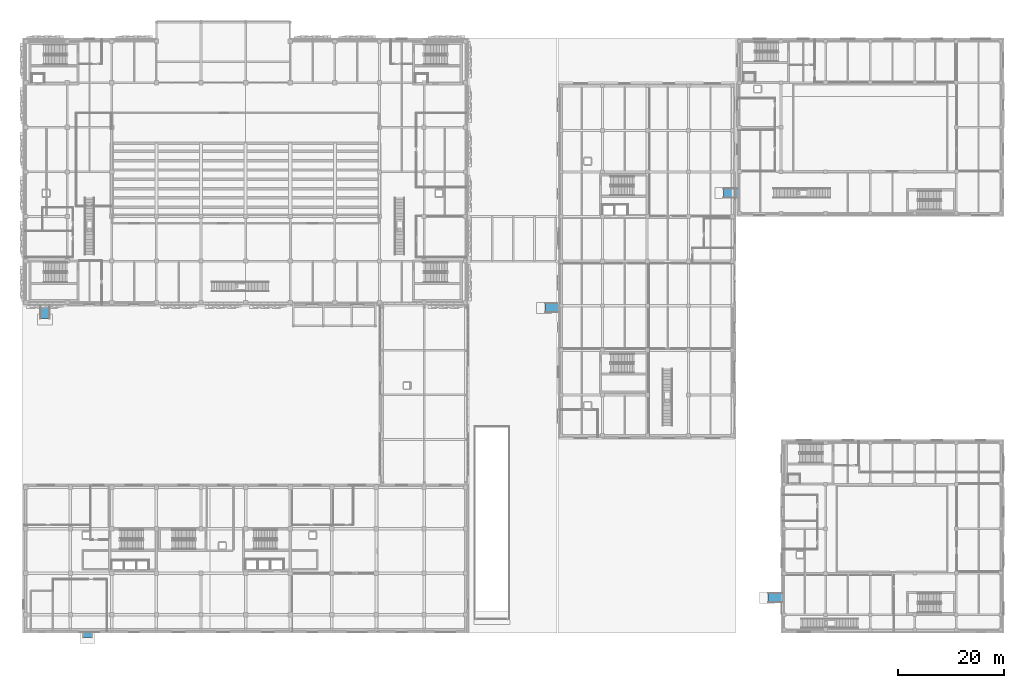
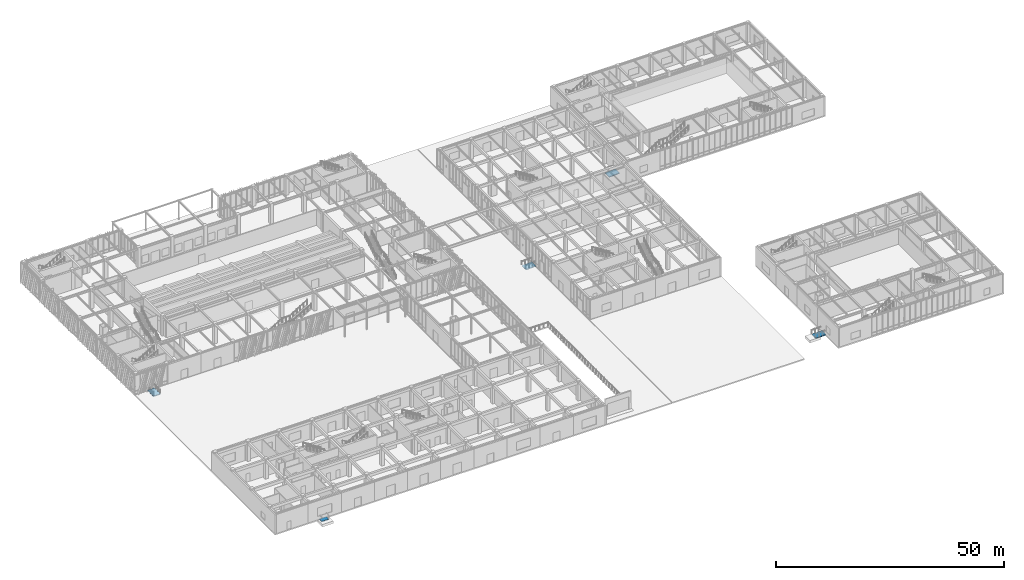
# One storey, part 106 of 122: 5 ramp flights, 5 elements without a shape of their own.
"""IFC4 building model written with IfcOpenShell, lengths in metres."""

from ifc_helpers import new_model, si_unit, direction, frame, origin, place, context, subcontext, project, spatial, polyline, outline, extrude, material, layer, layer_set, type_object, element, aggregate, save


model = new_model("IFC4")

# Units and contexts
model_context = context("Model", 3, precision=1e-05, world=origin(), true_north=direction((0.0, 1.0)))
body_context = subcontext(model_context, "Body", "Model", "MODEL_VIEW")
ifc_project = project(units=[si_unit("LENGTHUNIT", "METRE"), si_unit("AREAUNIT", "SQUARE_METRE"), si_unit("VOLUMEUNIT", "CUBIC_METRE"), si_unit("PLANEANGLEUNIT", "RADIAN"), si_unit("MASSUNIT", "GRAM", prefix="KILO")], contexts=[model_context])

# Site, building, storey
site_placement = place(None, origin())
site = spatial("IfcSite", under=ifc_project, at=site_placement, CompositionType="ELEMENT")
building_placement = place(site_placement, origin())
building = spatial("IfcBuilding", under=site, at=building_placement, Name="Zayran Congress Hotel", CompositionType="ELEMENT")
storey_placement = place(building_placement, origin())
storey = spatial("IfcBuildingStorey", under=building, at=storey_placement, Name="L00", CompositionType="ELEMENT", Elevation=0.0)

# Ramp, ramp flight
ifc_material = material(Name="Concrete C32/40", Category="concrete")
ramp_type = type_object("IfcRampType", Name="TP-RMP-PED", PredefinedType="STRAIGHT_RUN_RAMP", material=ifc_material)
ramp_1_placement = place(storey_placement, origin())
ramp_1 = element("IfcRamp", 1, at=ramp_1_placement, inside=storey, type_object=ramp_type, Name="Accessible Entrance Ramp V1-FOY", PredefinedType="STRAIGHT_RUN_RAMP")
ifc_layer = layer(ifc_material, 0.219970703125)
ifc_layer_set = layer_set([ifc_layer], Name="Concrete C32/40")
ramp_flight_type = type_object("IfcRampFlightType", Name="TP-RMF-PED", PredefinedType="STRAIGHT", material=ifc_layer_set)
ramp_flight_1_placement = place(storey_placement, frame((12.60009765625, 65.199951171875, -0.110107421875), z_axis=(0.0, 0.0, 1.0), x_axis=(0.0, 1.0, 0.0)))
ramp_flight_1 = element("IfcRampFlight", 2, at=ramp_flight_1_placement, type_object=ramp_flight_type, Name="RMF-PED-01-1", PredefinedType="STRAIGHT", context=body_context, shape_type="SweptSolid", body=[
    extrude(outline(polyline([(0.0, 0.0), (2.5, 0.110107421875), (2.5, -0.10986328125), (0.0, -0.219970703125), (0.0, 0.0)])), frame((0.0, 0.89990234375, 0.0), z_axis=(0.0, -1.0, 0.0), x_axis=(1.0, 0.0, 0.0)), (0.0, 0.0, 1.0), 1.800048828125),
])
aggregate(ramp_1, [ramp_flight_1])

ramp_2_placement = place(storey_placement, origin())
ramp_2 = element("IfcRamp", 3, at=ramp_2_placement, inside=storey, type_object=ramp_type, Name="Accessible Entrance Ramp V5-STH", PredefinedType="STRAIGHT_RUN_RAMP")
ramp_flight_2_placement = place(storey_placement, frame((20.60009765625, 5.10009765625, -0.070068359375), z_axis=(0.0, 0.0, 1.0), x_axis=(0.0, 1.0, 0.0)))
ramp_flight_2 = element("IfcRampFlight", 4, at=ramp_flight_2_placement, type_object=ramp_flight_type, Name="RMF-PED-02-1", PredefinedType="STRAIGHT", context=body_context, shape_type="SweptSolid", body=[
    extrude(outline(polyline([(0.0, 0.0), (1.10009765625, 0.070068359375), (1.10009765625, -0.14990234375), (0.0, -0.219970703125), (0.0, 0.0)])), frame((0.0, 0.89990234375, 0.0), z_axis=(0.0, -1.0, 0.0), x_axis=(1.0, 0.0, 0.0)), (0.0, 0.0, 1.0), 1.800048828125),
])
aggregate(ramp_2, [ramp_flight_2])

ramp_3_placement = place(storey_placement, origin())
ramp_3 = element("IfcRamp", 5, at=ramp_3_placement, inside=storey, type_object=ramp_type, Name="Accessible Entrance Ramp V2-WST", PredefinedType="STRAIGHT_RUN_RAMP")
ramp_flight_3_placement = place(storey_placement, frame((140.39990234375, 88.800048828125, -0.1201171875), z_axis=(0.0, 0.0, 1.0), x_axis=(1.0, 0.0, 0.0)))
ramp_flight_3 = element("IfcRampFlight", 6, at=ramp_flight_3_placement, type_object=ramp_flight_type, Name="RMF-PED-03-1", PredefinedType="STRAIGHT", context=body_context, shape_type="SweptSolid", body=[
    extrude(outline(polyline([(0.0, 0.0), (2.60009765625, 0.1201171875), (2.60009765625, -0.099853515625), (0.0, -0.219970703125), (0.0, 0.0)])), frame((0.0, 0.89990234375, 0.0), z_axis=(0.0, -1.0, 0.0), x_axis=(1.0, 0.0, 0.0)), (0.0, 0.0, 1.0), 1.800048828125),
])
aggregate(ramp_3, [ramp_flight_3])

ramp_4_placement = place(storey_placement, origin())
ramp_4 = element("IfcRamp", 7, at=ramp_4_placement, inside=storey, type_object=ramp_type, Name="Accessible Entrance Ramp V3-WST", PredefinedType="STRAIGHT_RUN_RAMP")
ramp_flight_4_placement = place(storey_placement, frame((148.800048828125, 12.60009765625, -0.1201171875), z_axis=(0.0, 0.0, 1.0), x_axis=(1.0, 0.0, 0.0)))
ramp_flight_4 = element("IfcRampFlight", 8, at=ramp_flight_4_placement, type_object=ramp_flight_type, Name="RMF-PED-04-1", PredefinedType="STRAIGHT", context=body_context, shape_type="SweptSolid", body=[
    extrude(outline(polyline([(0.0, 0.0), (2.60009765625, 0.1201171875), (2.60009765625, -0.099853515625), (0.0, -0.219970703125), (0.0, 0.0)])), frame((0.0, 0.89990234375, 0.0), z_axis=(0.0, -1.0, 0.0), x_axis=(1.0, 0.0, 0.0)), (0.0, 0.0, 1.0), 1.800048828125),
])
aggregate(ramp_4, [ramp_flight_4])

ramp_5_placement = place(storey_placement, origin())
ramp_5 = element("IfcRamp", 9, at=ramp_5_placement, inside=storey, type_object=ramp_type, Name="Accessible Entrance Ramp V4-WAD", PredefinedType="STRAIGHT_RUN_RAMP")
ramp_flight_5_placement = place(storey_placement, frame((106.800048828125, 67.199951171875, -0.1201171875), z_axis=(0.0, 0.0, 1.0), x_axis=(1.0, 0.0, 0.0)))
ramp_flight_5 = element("IfcRampFlight", 10, at=ramp_flight_5_placement, type_object=ramp_flight_type, Name="RMF-PED-05-1", PredefinedType="STRAIGHT", context=body_context, shape_type="SweptSolid", body=[
    extrude(outline(polyline([(0.0, 0.0), (2.60009765625, 0.1201171875), (2.60009765625, -0.099853515625), (0.0, -0.219970703125), (0.0, 0.0)])), frame((0.0, 0.89990234375, 0.0), z_axis=(0.0, -1.0, 0.0), x_axis=(1.0, 0.0, 0.0)), (0.0, 0.0, 1.0), 1.800048828125),
])
aggregate(ramp_5, [ramp_flight_5])

save(model, "model.ifc")
